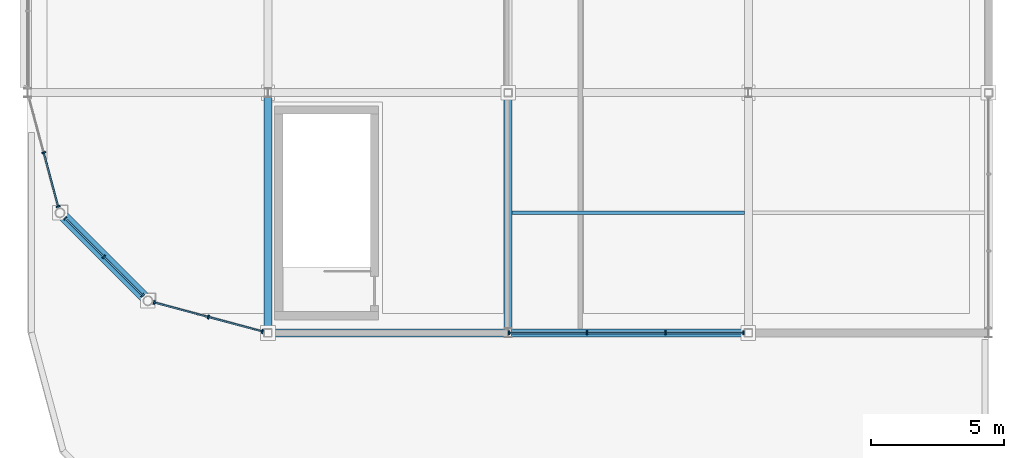
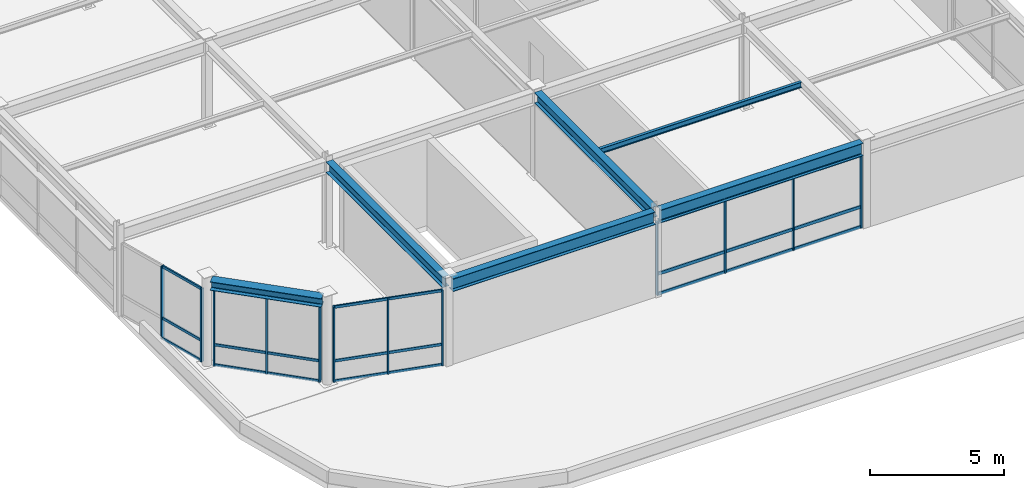
# One storey, part 23 of 108: 36 members, 6 beams, 4 elements without a shape of their own.
"""IFC4 building model written with IfcOpenShell, lengths in metres."""

from ifc_helpers import new_model, si_unit, direction, frame, origin, origin_2d, place, context, subcontext, project, spatial, rectangle, i_section, extrude, material, material_profile, profile_set, type_object, element, aggregate, save


model = new_model("IFC4")

# Units and contexts
model_context = context("Model", 3, precision=1e-05, world=origin(), true_north=direction((0.0, 1.0)))
body_context = subcontext(model_context, "Body", "Model", "MODEL_VIEW")
ifc_project = project(units=[si_unit("LENGTHUNIT", "METRE"), si_unit("AREAUNIT", "SQUARE_METRE"), si_unit("VOLUMEUNIT", "CUBIC_METRE"), si_unit("PLANEANGLEUNIT", "RADIAN"), si_unit("MASSUNIT", "GRAM", prefix="KILO")], contexts=[model_context])

# Site, building, storey
site_placement = place(None, origin())
site = spatial("IfcSite", under=ifc_project, at=site_placement, CompositionType="ELEMENT")
building_placement = place(site_placement, origin())
building = spatial("IfcBuilding", under=site, at=building_placement, Name="Suzunagisa Mobility Hub", CompositionType="ELEMENT")
storey_placement = place(building_placement, frame((0.0, 0.0, 9.300048828125)))
storey = spatial("IfcBuildingStorey", under=building, at=storey_placement, Name="L02", CompositionType="ELEMENT", Elevation=9.300048828125)

# Curtain wall, members
ifc_material_1 = material(Name="Thermally Broken Anodized Aluminum and Low-E Glazing", Category="aluminium")
curtain_wall_type_1 = type_object("IfcCurtainWallType", Name="Unitised Curtain Wall CW-12 8750x3300", PredefinedType="USERDEFINED", material=ifc_material_1)
curtain_wall_1_placement = place(storey_placement, origin())
curtain_wall_1 = element("IfcCurtainWall", 1, at=curtain_wall_1_placement, inside=storey, type_object=curtain_wall_type_1, Name="L02 Unitised Curtain Wall CW-25", ObjectType="UNITISED CURTAIN WALL", PredefinedType="USERDEFINED")
ifc_material_2 = material(Name="Anodized Aluminum 6063-T6", Category="aluminium")
ifc_material_profile_1 = material_profile(ifc_material_2, rectangle(XDim=0.06494140625, YDim=0.139892578125, at=origin_2d()), Name="TRAN-65x140")
ifc_profile_set_1 = profile_set([ifc_material_profile_1], Name="Anodized Aluminum 6063-T6")
member_type_1 = type_object("IfcMemberType", Name="Curtain Wall Framing CM-01 TRAN-65x140", PredefinedType="USERDEFINED", material=ifc_profile_set_1)
member_1_placement = place(storey_placement, frame((18.0625, 9.0, 0.032470703125), z_axis=(1.0, 0.0, 0.0), x_axis=(0.0, 1.0, 0.0)))
member_1 = element("IfcMember", 2, at=member_1_placement, type_object=member_type_1, Name="Curtain Wall Transom 25-T1.1", ObjectType="TRANSOM", PredefinedType="USERDEFINED", context=body_context, shape_type="SweptSolid", body=[
    extrude(rectangle(XDim=0.06494140625, YDim=0.139892578125, at=origin_2d()), origin(), (0.0, 0.0, 1.0), 2.862548828125),
])
member_2_placement = place(storey_placement, frame((18.0625, 9.0, 0.949951171875), z_axis=(1.0, 0.0, 0.0), x_axis=(0.0, 1.0, 0.0)))
member_2 = element("IfcMember", 3, at=member_2_placement, type_object=member_type_1, Name="Curtain Wall Transom 25-T1.2", ObjectType="TRANSOM", PredefinedType="USERDEFINED", context=body_context, shape_type="SweptSolid", body=[
    extrude(rectangle(XDim=0.06494140625, YDim=0.139892578125, at=origin_2d()), origin(), (0.0, 0.0, 1.0), 2.862548828125),
])
member_3_placement = place(storey_placement, frame((18.0625, 9.0, 3.299560546875), z_axis=(1.0, 0.0, 0.0), x_axis=(0.0, 1.0, 0.0)))
member_3 = element("IfcMember", 4, at=member_3_placement, type_object=member_type_1, Name="Curtain Wall Transom 25-T1.3", ObjectType="TRANSOM", PredefinedType="USERDEFINED", context=body_context, shape_type="SweptSolid", body=[
    extrude(rectangle(XDim=0.06494140625, YDim=0.139892578125, at=origin_2d()), origin(), (0.0, 0.0, 1.0), 2.862548828125),
])
member_4_placement = place(storey_placement, frame((20.98095703125, 9.0, 0.032470703125), z_axis=(1.0, 0.0, 0.0), x_axis=(0.0, 1.0, 0.0)))
member_4 = element("IfcMember", 5, at=member_4_placement, type_object=member_type_1, Name="Curtain Wall Transom 25-T2.1", ObjectType="TRANSOM", PredefinedType="USERDEFINED", context=body_context, shape_type="SweptSolid", body=[
    extrude(rectangle(XDim=0.06494140625, YDim=0.139892578125, at=origin_2d()), origin(), (0.0, 0.0, 1.0), 2.892578125),
])
member_5_placement = place(storey_placement, frame((20.98095703125, 9.0, 0.949951171875), z_axis=(1.0, 0.0, 0.0), x_axis=(0.0, 1.0, 0.0)))
member_5 = element("IfcMember", 6, at=member_5_placement, type_object=member_type_1, Name="Curtain Wall Transom 25-T2.2", ObjectType="TRANSOM", PredefinedType="USERDEFINED", context=body_context, shape_type="SweptSolid", body=[
    extrude(rectangle(XDim=0.06494140625, YDim=0.139892578125, at=origin_2d()), origin(), (0.0, 0.0, 1.0), 2.892578125),
])
member_6_placement = place(storey_placement, frame((20.98095703125, 9.0, 3.299560546875), z_axis=(1.0, 0.0, 0.0), x_axis=(0.0, 1.0, 0.0)))
member_6 = element("IfcMember", 7, at=member_6_placement, type_object=member_type_1, Name="Curtain Wall Transom 25-T2.3", ObjectType="TRANSOM", PredefinedType="USERDEFINED", context=body_context, shape_type="SweptSolid", body=[
    extrude(rectangle(XDim=0.06494140625, YDim=0.139892578125, at=origin_2d()), origin(), (0.0, 0.0, 1.0), 2.892578125),
])
member_7_placement = place(storey_placement, frame((23.929443359375, 9.0, 0.032470703125), z_axis=(1.0, 0.0, 0.0), x_axis=(0.0, 1.0, 0.0)))
member_7 = element("IfcMember", 8, at=member_7_placement, type_object=member_type_1, Name="Curtain Wall Transom 25-T3.1", ObjectType="TRANSOM", PredefinedType="USERDEFINED", context=body_context, shape_type="SweptSolid", body=[
    extrude(rectangle(XDim=0.06494140625, YDim=0.139892578125, at=origin_2d()), origin(), (0.0, 0.0, 1.0), 2.862548828125),
])
member_8_placement = place(storey_placement, frame((23.929443359375, 9.0, 0.949951171875), z_axis=(1.0, 0.0, 0.0), x_axis=(0.0, 1.0, 0.0)))
member_8 = element("IfcMember", 9, at=member_8_placement, type_object=member_type_1, Name="Curtain Wall Transom 25-T3.2", ObjectType="TRANSOM", PredefinedType="USERDEFINED", context=body_context, shape_type="SweptSolid", body=[
    extrude(rectangle(XDim=0.06494140625, YDim=0.139892578125, at=origin_2d()), origin(), (0.0, 0.0, 1.0), 2.862548828125),
])
member_9_placement = place(storey_placement, frame((23.929443359375, 9.0, 3.299560546875), z_axis=(1.0, 0.0, 0.0), x_axis=(0.0, 1.0, 0.0)))
member_9 = element("IfcMember", 10, at=member_9_placement, type_object=member_type_1, Name="Curtain Wall Transom 25-T3.3", ObjectType="TRANSOM", PredefinedType="USERDEFINED", context=body_context, shape_type="SweptSolid", body=[
    extrude(rectangle(XDim=0.06494140625, YDim=0.139892578125, at=origin_2d()), origin(), (0.0, 0.0, 1.0), 2.862548828125),
])

curtain_wall_type_2 = type_object("IfcCurtainWallType", Name="Unitised Curtain Wall CW-06 4250x3300", PredefinedType="USERDEFINED", material=ifc_material_1)
curtain_wall_2_placement = place(storey_placement, origin())
curtain_wall_2 = element("IfcCurtainWall", 11, at=curtain_wall_2_placement, inside=storey, type_object=curtain_wall_type_2, Name="L02 Unitised Curtain Wall CW-22", ObjectType="UNITISED CURTAIN WALL", PredefinedType="USERDEFINED")
ifc_material_profile_2 = material_profile(ifc_material_2, rectangle(XDim=0.06005859375, YDim=0.1201171875, at=origin_2d()), Name="TRAN-60x120")
ifc_profile_set_2 = profile_set([ifc_material_profile_2], Name="Anodized Aluminum 6063-T6")
member_type_2 = type_object("IfcMemberType", Name="Curtain Wall Framing CM-02 TRAN-60x120", PredefinedType="USERDEFINED", material=ifc_profile_set_2)
member_10_placement = place(storey_placement, frame((0.607421875, 15.733154296875, 0.030029296875), z_axis=(0.258863938159, -0.965913796113, 0.0), x_axis=(0.965913796113, 0.258863938159, 0.0)))
member_10 = element("IfcMember", 12, at=member_10_placement, type_object=member_type_2, Name="Curtain Wall Transom 22-T2.1", ObjectType="TRANSOM", PredefinedType="USERDEFINED", context=body_context, shape_type="SweptSolid", body=[
    extrude(rectangle(XDim=0.06005859375, YDim=0.1201171875, at=origin_2d()), origin(), (0.0, 0.0, 1.0), 2.0361328125),
])
member_11_placement = place(storey_placement, frame((0.607421875, 15.733154296875, 0.949951171875), z_axis=(0.258863938159, -0.965913796113, 0.0), x_axis=(0.965913796113, 0.258863938159, 0.0)))
member_11 = element("IfcMember", 13, at=member_11_placement, type_object=member_type_2, Name="Curtain Wall Transom 22-T2.2", ObjectType="TRANSOM", PredefinedType="USERDEFINED", context=body_context, shape_type="SweptSolid", body=[
    extrude(rectangle(XDim=0.06005859375, YDim=0.1201171875, at=origin_2d()), origin(), (0.0, 0.0, 1.0), 2.0361328125),
])
member_12_placement = place(storey_placement, frame((0.607421875, 15.733154296875, 3.302001953125), z_axis=(0.258863938159, -0.965913796113, 0.0), x_axis=(0.965913796113, 0.258863938159, 0.0)))
member_12 = element("IfcMember", 14, at=member_12_placement, type_object=member_type_2, Name="Curtain Wall Transom 22-T2.3", ObjectType="TRANSOM", PredefinedType="USERDEFINED", context=body_context, shape_type="SweptSolid", body=[
    extrude(rectangle(XDim=0.06005859375, YDim=0.1201171875, at=origin_2d()), origin(), (0.0, 0.0, 1.0), 2.0361328125),
])

curtain_wall_type_3 = type_object("IfcCurtainWallType", Name="Unitised Curtain Wall CW-24 4250x3500", PredefinedType="USERDEFINED", material=ifc_material_1)
curtain_wall_3_placement = place(storey_placement, origin())
curtain_wall_3 = element("IfcCurtainWall", 15, at=curtain_wall_3_placement, inside=storey, type_object=curtain_wall_type_3, Name="L02 Unitised Curtain Wall CW-23", ObjectType="UNITISED CURTAIN WALL", PredefinedType="USERDEFINED")
member_13_placement = place(storey_placement, frame((1.424560546875, 13.28125, 0.030029296875), z_axis=(0.707106781187, -0.707106781187, 0.0), x_axis=(0.707106781187, 0.707106781187, 0.0)))
member_13 = element("IfcMember", 16, at=member_13_placement, type_object=member_type_2, Name="Curtain Wall Transom 23-T1.1", ObjectType="TRANSOM", PredefinedType="USERDEFINED", context=body_context, shape_type="SweptSolid", body=[
    extrude(rectangle(XDim=0.06005859375, YDim=0.1201171875, at=origin_2d()), origin(), (0.0, 0.0, 1.0), 1.991943359375),
])
member_14_placement = place(storey_placement, frame((1.424560546875, 13.28125, 0.949951171875), z_axis=(0.707106781187, -0.707106781187, 0.0), x_axis=(0.707106781187, 0.707106781187, 0.0)))
member_14 = element("IfcMember", 17, at=member_14_placement, type_object=member_type_2, Name="Curtain Wall Transom 23-T1.2", ObjectType="TRANSOM", PredefinedType="USERDEFINED", context=body_context, shape_type="SweptSolid", body=[
    extrude(rectangle(XDim=0.06005859375, YDim=0.1201171875, at=origin_2d()), origin(), (0.0, 0.0, 1.0), 1.991943359375),
])
member_15_placement = place(storey_placement, frame((1.424560546875, 13.28125, 3.489990234375), z_axis=(0.707106781187, -0.707106781187, 0.0), x_axis=(0.707106781187, 0.707106781187, 0.0)))
member_15 = element("IfcMember", 18, at=member_15_placement, type_object=member_type_2, Name="Curtain Wall Transom 23-T1.3", ObjectType="TRANSOM", PredefinedType="USERDEFINED", context=body_context, shape_type="SweptSolid", body=[
    extrude(rectangle(XDim=0.06005859375, YDim=0.1201171875, at=origin_2d()), origin(), (0.0, 0.0, 1.0), 1.991943359375),
])
member_16_placement = place(storey_placement, frame((2.872802734375, 11.8330078125, 0.030029296875), z_axis=(0.707106781187, -0.707106781187, 0.0), x_axis=(0.707106781187, 0.707106781187, 0.0)))
member_16 = element("IfcMember", 19, at=member_16_placement, type_object=member_type_2, Name="Curtain Wall Transom 23-T2.1", ObjectType="TRANSOM", PredefinedType="USERDEFINED", context=body_context, shape_type="SweptSolid", body=[
    extrude(rectangle(XDim=0.06005859375, YDim=0.1201171875, at=origin_2d()), origin(), (0.0, 0.0, 1.0), 1.991943359375),
])
member_17_placement = place(storey_placement, frame((2.872802734375, 11.8330078125, 0.949951171875), z_axis=(0.707106781187, -0.707106781187, 0.0), x_axis=(0.707106781187, 0.707106781187, 0.0)))
member_17 = element("IfcMember", 20, at=member_17_placement, type_object=member_type_2, Name="Curtain Wall Transom 23-T2.2", ObjectType="TRANSOM", PredefinedType="USERDEFINED", context=body_context, shape_type="SweptSolid", body=[
    extrude(rectangle(XDim=0.06005859375, YDim=0.1201171875, at=origin_2d()), origin(), (0.0, 0.0, 1.0), 1.991943359375),
])
member_18_placement = place(storey_placement, frame((2.872802734375, 11.8330078125, 3.489990234375), z_axis=(0.707106781187, -0.707106781187, 0.0), x_axis=(0.707106781187, 0.707106781187, 0.0)))
member_18 = element("IfcMember", 21, at=member_18_placement, type_object=member_type_2, Name="Curtain Wall Transom 23-T2.3", ObjectType="TRANSOM", PredefinedType="USERDEFINED", context=body_context, shape_type="SweptSolid", body=[
    extrude(rectangle(XDim=0.06005859375, YDim=0.1201171875, at=origin_2d()), origin(), (0.0, 0.0, 1.0), 1.991943359375),
])

curtain_wall_type_4 = type_object("IfcCurtainWallType", Name="Unitised Curtain Wall CW-02 4250x3400", PredefinedType="USERDEFINED", material=ifc_material_1)
curtain_wall_4_placement = place(storey_placement, origin())
curtain_wall_4 = element("IfcCurtainWall", 22, at=curtain_wall_4_placement, inside=storey, type_object=curtain_wall_type_4, Name="L02 Unitised Curtain Wall CW-24", ObjectType="UNITISED CURTAIN WALL", PredefinedType="USERDEFINED")
member_19_placement = place(storey_placement, frame((4.766357421875, 10.134521484375, 0.030029296875), z_axis=(0.965904828757, -0.258897396249, 0.0), x_axis=(0.258897396249, 0.965904828757, 0.0)))
member_19 = element("IfcMember", 23, at=member_19_placement, type_object=member_type_2, Name="Curtain Wall Transom 24-T1.1", ObjectType="TRANSOM", PredefinedType="USERDEFINED", context=body_context, shape_type="SweptSolid", body=[
    extrude(rectangle(XDim=0.06005859375, YDim=0.1201171875, at=origin_2d()), origin(), (0.0, 0.0, 1.0), 2.04248046875),
])
member_20_placement = place(storey_placement, frame((4.766357421875, 10.134521484375, 0.949951171875), z_axis=(0.965904828757, -0.258897396249, 0.0), x_axis=(0.258897396249, 0.965904828757, 0.0)))
member_20 = element("IfcMember", 24, at=member_20_placement, type_object=member_type_2, Name="Curtain Wall Transom 24-T1.2", ObjectType="TRANSOM", PredefinedType="USERDEFINED", context=body_context, shape_type="SweptSolid", body=[
    extrude(rectangle(XDim=0.06005859375, YDim=0.1201171875, at=origin_2d()), origin(), (0.0, 0.0, 1.0), 2.04248046875),
])
member_21_placement = place(storey_placement, frame((4.766357421875, 10.134521484375, 3.40185546875), z_axis=(0.965904828757, -0.258897396249, 0.0), x_axis=(0.258897396249, 0.965904828757, 0.0)))
member_21 = element("IfcMember", 25, at=member_21_placement, type_object=member_type_2, Name="Curtain Wall Transom 24-T1.3", ObjectType="TRANSOM", PredefinedType="USERDEFINED", context=body_context, shape_type="SweptSolid", body=[
    extrude(rectangle(XDim=0.06005859375, YDim=0.1201171875, at=origin_2d()), origin(), (0.0, 0.0, 1.0), 2.04248046875),
])
member_22_placement = place(storey_placement, frame((6.79345703125, 9.59130859375, 0.030029296875), z_axis=(0.965912839068, -0.258867509208, 0.0), x_axis=(0.258867509208, 0.965912839068, 0.0)))
member_22 = element("IfcMember", 26, at=member_22_placement, type_object=member_type_2, Name="Curtain Wall Transom 24-T2.1", ObjectType="TRANSOM", PredefinedType="USERDEFINED", context=body_context, shape_type="SweptSolid", body=[
    extrude(rectangle(XDim=0.06005859375, YDim=0.1201171875, at=origin_2d()), origin(), (0.0, 0.0, 1.0), 2.042724609375),
])
member_23_placement = place(storey_placement, frame((6.79345703125, 9.59130859375, 0.949951171875), z_axis=(0.965912839068, -0.258867509208, 0.0), x_axis=(0.258867509208, 0.965912839068, 0.0)))
member_23 = element("IfcMember", 27, at=member_23_placement, type_object=member_type_2, Name="Curtain Wall Transom 24-T2.2", ObjectType="TRANSOM", PredefinedType="USERDEFINED", context=body_context, shape_type="SweptSolid", body=[
    extrude(rectangle(XDim=0.06005859375, YDim=0.1201171875, at=origin_2d()), origin(), (0.0, 0.0, 1.0), 2.042724609375),
])
member_24_placement = place(storey_placement, frame((6.79345703125, 9.59130859375, 3.40185546875), z_axis=(0.965912839068, -0.258867509208, 0.0), x_axis=(0.258867509208, 0.965912839068, 0.0)))
member_24 = element("IfcMember", 28, at=member_24_placement, type_object=member_type_2, Name="Curtain Wall Transom 24-T2.3", ObjectType="TRANSOM", PredefinedType="USERDEFINED", context=body_context, shape_type="SweptSolid", body=[
    extrude(rectangle(XDim=0.06005859375, YDim=0.1201171875, at=origin_2d()), origin(), (0.0, 0.0, 1.0), 2.042724609375),
])

# Member
ifc_material_profile_3 = material_profile(ifc_material_2, rectangle(XDim=0.06005859375, YDim=0.14990234375, at=origin_2d()), Name="MULL-60x150")
ifc_profile_set_3 = profile_set([ifc_material_profile_3], Name="Anodized Aluminum 6063-T6")
member_type_3 = type_object("IfcMemberType", Name="Curtain Wall Framing CM-03 MULL-60x150", PredefinedType="MULLION", material=ifc_profile_set_3)
member_25_placement = place(storey_placement, frame((0.60009765625, 15.76025390625, 0.0), z_axis=(0.0, 0.0, 1.0), x_axis=(0.258810670101, -0.965928070325, 0.0)))
member_25 = element("IfcMember", 29, at=member_25_placement, type_object=member_type_3, Name="Curtain Wall Mullion 22-M2", PredefinedType="MULLION", context=body_context, shape_type="SweptSolid", body=[
    extrude(rectangle(XDim=0.06005859375, YDim=0.14990234375, at=origin_2d()), origin(), (0.0, 0.0, 1.0), 3.33203125),
])

member_26_placement = place(storey_placement, frame((1.1416015625, 13.7392578125, 0.0), z_axis=(0.0, 0.0, 1.0), x_axis=(0.258810670101, -0.965928070325, 0.0)))
member_26 = element("IfcMember", 30, at=member_26_placement, type_object=member_type_3, Name="Curtain Wall Mullion 22-M3", PredefinedType="MULLION", context=body_context, shape_type="SweptSolid", body=[
    extrude(rectangle(XDim=0.06005859375, YDim=0.14990234375, at=origin_2d()), origin(), (0.0, 0.0, 1.0), 3.33203125),
])

aggregate(curtain_wall_2, [member_25, member_26, member_10, member_11, member_12])

member_27_placement = place(storey_placement, frame((1.40478515625, 13.301025390625, 0.0), z_axis=(0.0, 0.0, 1.0), x_axis=(0.707106781187, -0.707106781187, 0.0)))
member_27 = element("IfcMember", 31, at=member_27_placement, type_object=member_type_3, Name="Curtain Wall Mullion 23-M1", PredefinedType="MULLION", context=body_context, shape_type="SweptSolid", body=[
    extrude(rectangle(XDim=0.06005859375, YDim=0.14990234375, at=origin_2d()), origin(), (0.0, 0.0, 1.0), 3.52001953125),
])

member_28_placement = place(storey_placement, frame((2.852783203125, 11.852783203125, 0.0), z_axis=(0.0, 0.0, 1.0), x_axis=(0.707106781187, -0.707106781187, 0.0)))
member_28 = element("IfcMember", 32, at=member_28_placement, type_object=member_type_3, Name="Curtain Wall Mullion 23-M2", PredefinedType="MULLION", context=body_context, shape_type="SweptSolid", body=[
    extrude(rectangle(XDim=0.06005859375, YDim=0.14990234375, at=origin_2d()), origin(), (0.0, 0.0, 1.0), 3.52001953125),
])

member_29_placement = place(storey_placement, frame((4.301025390625, 10.40478515625, 0.0), z_axis=(0.0, 0.0, 1.0), x_axis=(0.707106781187, -0.707106781187, 0.0)))
member_29 = element("IfcMember", 33, at=member_29_placement, type_object=member_type_3, Name="Curtain Wall Mullion 23-M3", PredefinedType="MULLION", context=body_context, shape_type="SweptSolid", body=[
    extrude(rectangle(XDim=0.06005859375, YDim=0.14990234375, at=origin_2d()), origin(), (0.0, 0.0, 1.0), 3.52001953125),
])

aggregate(curtain_wall_3, [member_27, member_28, member_29, member_13, member_14, member_15, member_16, member_17, member_18])

member_30_placement = place(storey_placement, frame((4.7392578125, 10.1416015625, 0.0), z_axis=(0.0, 0.0, 1.0), x_axis=(0.96592351662, -0.258827664752, 0.0)))
member_30 = element("IfcMember", 34, at=member_30_placement, type_object=member_type_3, Name="Curtain Wall Mullion 24-M1", PredefinedType="MULLION", context=body_context, shape_type="SweptSolid", body=[
    extrude(rectangle(XDim=0.06005859375, YDim=0.14990234375, at=origin_2d()), origin(), (0.0, 0.0, 1.0), 3.431884765625),
])

member_31_placement = place(storey_placement, frame((6.766357421875, 9.598388671875, 0.0), z_axis=(0.0, 0.0, 1.0), x_axis=(0.96592351662, -0.258827664752, 0.0)))
member_31 = element("IfcMember", 35, at=member_31_placement, type_object=member_type_3, Name="Curtain Wall Mullion 24-M2", PredefinedType="MULLION", context=body_context, shape_type="SweptSolid", body=[
    extrude(rectangle(XDim=0.06005859375, YDim=0.14990234375, at=origin_2d()), origin(), (0.0, 0.0, 1.0), 3.431884765625),
])

member_32_placement = place(storey_placement, frame((8.793701171875, 9.055419921875, 0.0), z_axis=(0.0, 0.0, 1.0), x_axis=(0.96592351662, -0.258827664752, 0.0)))
member_32 = element("IfcMember", 36, at=member_32_placement, type_object=member_type_3, Name="Curtain Wall Mullion 24-M3", PredefinedType="MULLION", context=body_context, shape_type="SweptSolid", body=[
    extrude(rectangle(XDim=0.06005859375, YDim=0.14990234375, at=origin_2d()), origin(), (0.0, 0.0, 1.0), 3.431884765625),
])

aggregate(curtain_wall_4, [member_30, member_31, member_32, member_19, member_20, member_21, member_22, member_23, member_24])

member_33_placement = place(storey_placement, frame((18.034423828125, 9.0, 0.0), z_axis=(0.0, 0.0, 1.0), x_axis=(1.0, 0.0, 0.0)))
member_33 = element("IfcMember", 37, at=member_33_placement, type_object=member_type_3, Name="Curtain Wall Mullion 25-M1", PredefinedType="MULLION", context=body_context, shape_type="SweptSolid", body=[
    extrude(rectangle(XDim=0.06005859375, YDim=0.14990234375, at=origin_2d()), origin(), (0.0, 0.0, 1.0), 3.33203125),
])

member_34_placement = place(storey_placement, frame((20.952880859375, 9.0, 0.0), z_axis=(0.0, 0.0, 1.0), x_axis=(1.0, 0.0, 0.0)))
member_34 = element("IfcMember", 38, at=member_34_placement, type_object=member_type_3, Name="Curtain Wall Mullion 25-M2", PredefinedType="MULLION", context=body_context, shape_type="SweptSolid", body=[
    extrude(rectangle(XDim=0.06005859375, YDim=0.14990234375, at=origin_2d()), origin(), (0.0, 0.0, 1.0), 3.33203125),
])

member_35_placement = place(storey_placement, frame((23.901611328125, 9.0, 0.0), z_axis=(0.0, 0.0, 1.0), x_axis=(1.0, 0.0, 0.0)))
member_35 = element("IfcMember", 39, at=member_35_placement, type_object=member_type_3, Name="Curtain Wall Mullion 25-M3", PredefinedType="MULLION", context=body_context, shape_type="SweptSolid", body=[
    extrude(rectangle(XDim=0.06005859375, YDim=0.14990234375, at=origin_2d()), origin(), (0.0, 0.0, 1.0), 3.33203125),
])

member_36_placement = place(storey_placement, frame((26.820068359375, 9.0, 0.0), z_axis=(0.0, 0.0, 1.0), x_axis=(1.0, 0.0, 0.0)))
member_36 = element("IfcMember", 40, at=member_36_placement, type_object=member_type_3, Name="Curtain Wall Mullion 25-M4", PredefinedType="MULLION", context=body_context, shape_type="SweptSolid", body=[
    extrude(rectangle(XDim=0.06005859375, YDim=0.14990234375, at=origin_2d()), origin(), (0.0, 0.0, 1.0), 3.33203125),
])

aggregate(curtain_wall_1, [member_33, member_34, member_35, member_36, member_1, member_2, member_3, member_4, member_5, member_6, member_7, member_8, member_9])

# Beams
ifc_material_3 = material(Name="Steel SN490B", Category="steel")
ifc_material_profile_4 = material_profile(ifc_material_3, i_section(OverallWidth=0.300048828125, OverallDepth=0.488037109375, WebThickness=0.010986328125, FlangeThickness=0.01806640625, FilletRadius=0.012939453125, at=origin_2d()), Name="H-488x300x11x18")
ifc_profile_set_4 = profile_set([ifc_material_profile_4], Name="Steel SN490B")
beam_type_1 = type_object("IfcBeamType", Name="Steel Beam BM-06 H-488x300x11x18", PredefinedType="BEAM", material=ifc_profile_set_4)
for number, where, z_axis, x_axis, name in (
    (41, (9.0, 9.14599609375, 3.676025390625), (0.0, 1.0, 0.0), (-1.0, 0.0, 0.0), "L02 Primary Girder GY-303"),
    (42, (18.0, 9.166015625, 3.676025390625), (0.0, 1.0, 0.0), (-1.0, 0.0, 0.0), "L02 Primary Girder GY-309"),
):
    element("IfcBeam", number, at=place(storey_placement, frame(where, z_axis=z_axis, x_axis=x_axis)), inside=storey, type_object=beam_type_1, Name=name, PredefinedType="BEAM", context=body_context, shape_type="SweptSolid", body=[
        extrude(i_section(OverallWidth=0.300048828125, OverallDepth=0.488037109375, WebThickness=0.010986328125, FlangeThickness=0.01806640625, FilletRadius=0.012939453125, at=origin_2d()), origin(), (0.0, 0.0, 1.0), 8.68798828125),
    ])
ifc_material_profile_5 = material_profile(ifc_material_3, i_section(OverallWidth=0.39990234375, OverallDepth=0.39990234375, WebThickness=0.012939453125, FlangeThickness=0.02099609375, FilletRadius=0.01611328125, at=origin_2d()), Name="H-400x400x13x21")
ifc_profile_set_5 = profile_set([ifc_material_profile_5], Name="Steel SN490B")
beam_type_2 = type_object("IfcBeamType", Name="Steel Beam BM-12 H-400x400x13x21", PredefinedType="SPANDREL", material=ifc_profile_set_5)
beam_1_placement = place(storey_placement, frame((1.33154296875, 13.374267578125, 3.719970703125), z_axis=(0.707106781187, -0.707106781187, 0.0), x_axis=(0.707106781187, 0.707106781187, 0.0)))
element("IfcBeam", 43, at=beam_1_placement, inside=storey, type_object=beam_type_2, Name="L02 Streamline Prow Spandrel 327", PredefinedType="SPANDREL", context=body_context, shape_type="SweptSolid", body=[
    extrude(i_section(OverallWidth=0.39990234375, OverallDepth=0.39990234375, WebThickness=0.012939453125, FlangeThickness=0.02099609375, FilletRadius=0.01611328125, at=origin_2d()), origin(), (0.0, 0.0, 1.0), 4.302978515625),
])
ifc_material_profile_6 = material_profile(ifc_material_3, i_section(OverallWidth=0.300048828125, OverallDepth=0.587890625, WebThickness=0.011962890625, FlangeThickness=0.02001953125, FilletRadius=0.012939453125, at=origin_2d()), Name="H-588x300x12x20")
ifc_profile_set_6 = profile_set([ifc_material_profile_6], Name="Steel SN490B")
beam_type_3 = type_object("IfcBeamType", Name="Steel Beam BM-16 H-588x300x12x20", PredefinedType="BEAM", material=ifc_profile_set_6)
for number, where, z_axis, x_axis, name in (
    (44, (9.14599609375, 9.0, 3.6259765625), (1.0, 0.0, 0.0), (0.0, 1.0, 0.0), "L02 Primary Girder GX-271"),
    (45, (18.12109375, 9.0, 3.6259765625), (1.0, 0.0, 0.0), (0.0, 1.0, 0.0), "L02 Primary Girder GX-272"),
):
    element("IfcBeam", number, at=place(storey_placement, frame(where, z_axis=z_axis, x_axis=x_axis)), inside=storey, type_object=beam_type_3, Name=name, PredefinedType="BEAM", context=body_context, shape_type="SweptSolid", body=[
        extrude(i_section(OverallWidth=0.300048828125, OverallDepth=0.587890625, WebThickness=0.011962890625, FlangeThickness=0.02001953125, FilletRadius=0.012939453125, at=origin_2d()), origin(), (0.0, 0.0, 1.0), 8.73291015625),
    ])
ifc_material_4 = material(Name="Steel SN400B", Category="steel")
ifc_material_profile_7 = material_profile(ifc_material_4, i_section(OverallWidth=0.125, OverallDepth=0.25, WebThickness=0.006103515625, FlangeThickness=0.009033203125, FilletRadius=0.008056640625, at=origin_2d()), Name="H-250x125x6x9")
ifc_profile_set_7 = profile_set([ifc_material_profile_7], Name="Steel SN400B")
beam_type_4 = type_object("IfcBeamType", Name="Steel Beam BM-21 H-250x125x6x9", PredefinedType="JOIST", material=ifc_profile_set_7)
beam_2_placement = place(storey_placement, frame((18.14990234375, 13.5, 3.794921875), z_axis=(1.0, 0.0, 0.0), x_axis=(0.0, 1.0, 0.0)))
element("IfcBeam", 46, at=beam_2_placement, inside=storey, type_object=beam_type_4, Name="L02 Composite Floor Joist J-337", PredefinedType="JOIST", context=body_context, shape_type="SweptSolid", body=[
    extrude(i_section(OverallWidth=0.125, OverallDepth=0.25, WebThickness=0.006103515625, FlangeThickness=0.009033203125, FilletRadius=0.008056640625, at=origin_2d()), origin(), (0.0, 0.0, 1.0), 8.7001953125),
])

save(model, "model.ifc")
